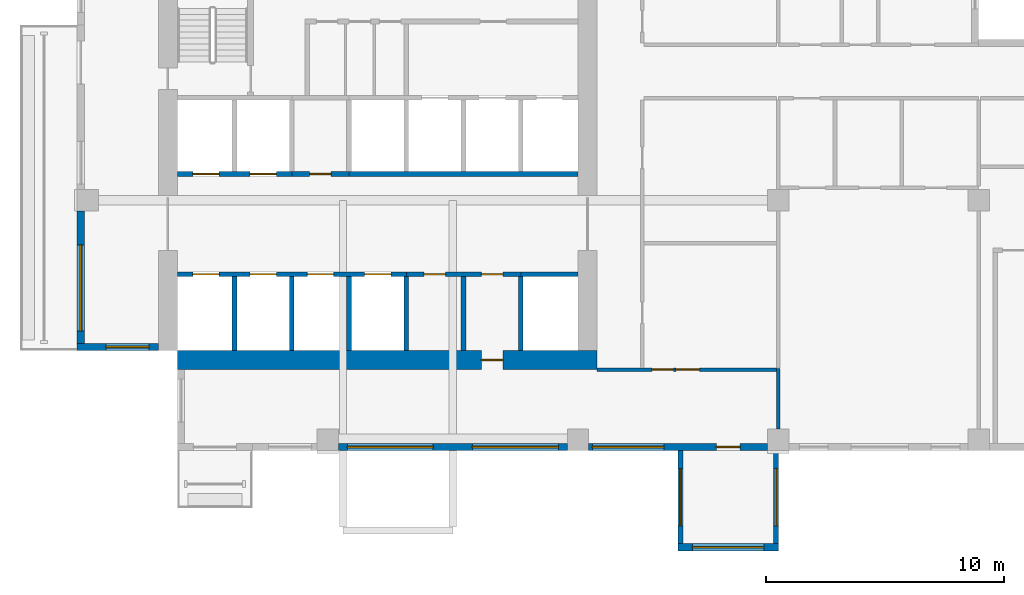
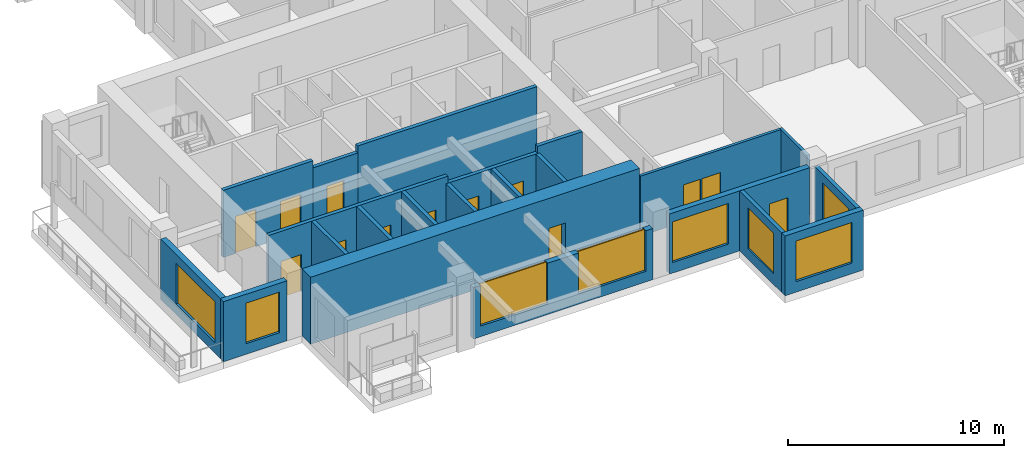
# One storey, part 2 of 13: 22 walls, 13 doors, 8 windows, 21 openings.
"""IFC4 building model written with IfcOpenShell, lengths in metres."""

from ifc_helpers import new_model, si_unit, direction, frame, frame_2d, origin, place, context, subcontext, project, spatial, rectangle, extrude, source, transform, mapped, material, layer, layer_set, type_object, element, fill, save


model = new_model("IFC4")

# Units and contexts
model_context = context("Model", 3, precision=1e-05, world=origin(), true_north=direction((0.0, 1.0)))
body_context = subcontext(model_context, "Body", "Model", "MODEL_VIEW")
ifc_project = project(units=[si_unit("LENGTHUNIT", "METRE"), si_unit("AREAUNIT", "SQUARE_METRE"), si_unit("VOLUMEUNIT", "CUBIC_METRE"), si_unit("PLANEANGLEUNIT", "RADIAN"), si_unit("MASSUNIT", "GRAM", prefix="KILO")], contexts=[model_context])

# Site, building, storey
site_placement = place(None, origin())
site = spatial("IfcSite", under=ifc_project, at=site_placement, CompositionType="ELEMENT")
building_placement = place(site_placement, origin())
building = spatial("IfcBuilding", under=site, at=building_placement, Name="Aurelian Terraces", CompositionType="ELEMENT")
storey_placement = place(building_placement, frame((0.0, 0.0, 193.0)))
storey = spatial("IfcBuildingStorey", under=building, at=storey_placement, Name="L42", CompositionType="ELEMENT", Elevation=193.0)

# Wall
ifc_material_1 = material(Name="Gypsum board on steel studs", Category="steel")
ifc_layer_1 = layer(ifc_material_1, 0.2)
ifc_layer_set_1 = layer_set([ifc_layer_1], Name="Core partition 200")
wall_type_1 = type_object("IfcWallType", Name="Core partition 200", PredefinedType="PARTITIONING", material=ifc_layer_set_1)
wall_1_placement = place(storey_placement, frame((16.2, 4.2, 0.0), z_axis=(0.0, 0.0, 1.0), x_axis=(0.0, 1.0, 0.0)))
element("IfcWall", 1, at=wall_1_placement, inside=storey, type_object=wall_type_1, Name="L42 core wall CS-A5", PredefinedType="PARTITIONING", context=body_context, shape_type="SweptSolid", body=[
    extrude(rectangle(XDim=3.1, YDim=0.2, at=frame_2d((1.55, 0.0))), origin(), (0.0, 0.0, 1.0), 3.4),
])

# Wall, opening, door
ifc_material_2 = material(Name="Concrete fc' 70 MPa", Category="concrete")
ifc_layer_2 = layer(ifc_material_2, 0.8)
ifc_layer_set_2 = layer_set([ifc_layer_2], Name="CORE WALL 800 FC70")
wall_type_2 = type_object("IfcWallType", Name="CORE WALL 800 FC70", PredefinedType="SHEAR", material=ifc_layer_set_2)
shared_shape_1 = source(origin(), body_context, "Body", "SweptSolid", [
    extrude(rectangle(XDim=17.6, YDim=0.8, at=frame_2d((8.8, 0.0))), origin(), (0.0, 0.0, 1.0), 3.8),
])
wall_2_placement = place(storey_placement, frame((4.2, 3.8, 0.0), z_axis=(0.0, 0.0, 1.0), x_axis=(1.0, 0.0, 0.0)))
wall_2 = element("IfcWall", 2, at=wall_2_placement, inside=storey, type_object=wall_type_2, Name="Core wall S L42", PredefinedType="SHEAR", context=body_context, shape_type="MappedRepresentation", body=[
    mapped(shared_shape_1, transform((0.0, 0.0, 0.0), scale=1.0)),
])
shared_shape_2 = source(origin(), body_context, "Body", "SweptSolid", [
    extrude(rectangle(XDim=0.9, YDim=2.1, at=frame_2d((0.45, 1.05))), frame((0.0, 0.41, 0.0), z_axis=(0.0, -1.0, 0.0), x_axis=(1.0, 0.0, 0.0)), (0.0, 0.0, 1.0), 0.82),
])
opening_1_placement = place(wall_2_placement, frame((12.75, 0.0, 0.0)))
opening_1 = element("IfcOpeningElement", 3, at=opening_1_placement, cuts=wall_2, Name="Opening 64527", PredefinedType="OPENING", context=body_context, shape_type="MappedRepresentation", body=[
    mapped(shared_shape_2, transform((0.0, 0.0, 0.0), scale=1.0)),
])
ifc_material_3 = material(Name="Steel door leaf", Category="steel")
door_type_1 = type_object("IfcDoorType", Name="Core service door 900x2100 right", OperationType="SINGLE_SWING_RIGHT", PredefinedType="DOOR", material=ifc_material_3)
shared_shape_3 = source(origin(), body_context, "Body", "SweptSolid", [
    extrude(rectangle(XDim=0.9, YDim=2.1, at=frame_2d((0.45, 1.05))), frame((0.0, 0.025, 0.0), z_axis=(0.0, -1.0, 0.0), x_axis=(1.0, 0.0, 0.0)), (0.0, 0.0, 1.0), 0.05),
])
door_1_placement = place(opening_1_placement, origin())
door_1 = element("IfcDoor", 4, at=door_1_placement, inside=storey, type_object=door_type_1, Name="Core door 64527", OperationType="SINGLE_SWING_RIGHT", OverallHeight=2.1, OverallWidth=0.9, PredefinedType="DOOR", context=body_context, shape_type="MappedRepresentation", body=[
    mapped(shared_shape_3, transform((0.0, 0.0, 0.0), scale=1.0)),
])
fill(opening_1, door_1)

# Wall, openings, window, door
ifc_material_4 = material(Name="Terracotta rainscreen cladding", Category="masonry")
ifc_layer_3 = layer(ifc_material_4, 0.3)
ifc_layer_set_3 = layer_set([ifc_layer_3], Name="EW-300")
wall_type_3 = type_object("IfcWallType", Name="EW-300", PredefinedType="STANDARD", material=ifc_layer_set_3)
shared_shape_4 = source(origin(), body_context, "Body", "SweptSolid", [
    extrude(rectangle(XDim=7.5, YDim=0.3, at=frame_2d((3.75, 0.0))), origin(), (0.0, 0.0, 1.0), 3.4),
])
wall_3_placement = place(storey_placement, frame((21.45, 0.15, 0.0), z_axis=(0.0, 0.0, 1.0), x_axis=(1.0, 0.0, 0.0)))
wall_3 = element("IfcWall", 5, at=wall_3_placement, inside=storey, type_object=wall_type_3, Name="External wall L42 F01.4", PredefinedType="STANDARD", context=body_context, shape_type="MappedRepresentation", body=[
    mapped(shared_shape_4, transform((0.0, 0.0, 0.0), scale=1.0)),
])
shared_shape_5 = source(origin(), body_context, "Body", "SweptSolid", [
    extrude(rectangle(XDim=3.0, YDim=2.3, at=frame_2d((1.5, 1.15))), frame((0.0, 0.16, 0.0), z_axis=(0.0, -1.0, 0.0), x_axis=(1.0, 0.0, 0.0)), (0.0, 0.0, 1.0), 0.32),
])
opening_2_placement = place(wall_3_placement, frame((0.15, 0.0, 0.6)))
opening_2 = element("IfcOpeningElement", 6, at=opening_2_placement, cuts=wall_3, Name="Opening W3023", PredefinedType="OPENING", context=body_context, shape_type="MappedRepresentation", body=[
    mapped(shared_shape_5, transform((0.0, 0.0, 0.0), scale=1.0)),
])
shared_shape_6 = source(origin(), body_context, "Body", "SweptSolid", [
    extrude(rectangle(XDim=1.0, YDim=2.1, at=frame_2d((0.5, 1.05))), frame((0.0, 0.16, 0.0), z_axis=(0.0, -1.0, 0.0), x_axis=(1.0, 0.0, 0.0)), (0.0, 0.0, 1.0), 0.32),
])
opening_3_placement = place(wall_3_placement, frame((5.35, 0.0, 0.0)))
opening_3 = element("IfcOpeningElement", 7, at=opening_3_placement, cuts=wall_3, Name="Opening 842003", PredefinedType="OPENING", context=body_context, shape_type="MappedRepresentation", body=[
    mapped(shared_shape_6, transform((0.0, 0.0, 0.0), scale=1.0)),
])
ifc_material_5 = material(Name="Clear glazing", Category="glass")
window_type_1 = type_object("IfcWindowType", Name="W-3000x2300", PartitioningType="SINGLE_PANEL", PredefinedType="WINDOW", material=ifc_material_5)
shared_shape_7 = source(origin(), body_context, "Body", "SweptSolid", [
    extrude(rectangle(XDim=3.0, YDim=2.3, at=frame_2d((1.5, 1.15))), frame((0.0, 0.03, 0.0), z_axis=(0.0, -1.0, 0.0), x_axis=(1.0, 0.0, 0.0)), (0.0, 0.0, 1.0), 0.06),
])
window_1_placement = place(opening_2_placement, origin())
window_1 = element("IfcWindow", 8, at=window_1_placement, inside=storey, type_object=window_type_1, Name="Window L42 L42-F01-04-0", OverallHeight=2.3, OverallWidth=3.0, PartitioningType="SINGLE_PANEL", PredefinedType="WINDOW", context=body_context, shape_type="MappedRepresentation", body=[
    mapped(shared_shape_7, transform((0.0, 0.0, 0.0), scale=1.0)),
])
fill(opening_2, window_1)
ifc_material_6 = material(Name="Timber door leaf", Category="wood")
door_type_2 = type_object("IfcDoorType", Name="Room door 1000x2100 left", OperationType="SINGLE_SWING_LEFT", PredefinedType="DOOR", material=ifc_material_6)
shared_shape_8 = source(origin(), body_context, "Body", "SweptSolid", [
    extrude(rectangle(XDim=1.0, YDim=2.1, at=frame_2d((0.5, 1.05))), frame((0.0, 0.025, 0.0), z_axis=(0.0, -1.0, 0.0), x_axis=(1.0, 0.0, 0.0)), (0.0, 0.0, 1.0), 0.05),
])
door_2_placement = place(opening_3_placement, origin())
door_2 = element("IfcDoor", 9, at=door_2_placement, inside=storey, type_object=door_type_2, Name="Door 842003", OperationType="SINGLE_SWING_LEFT", OverallHeight=2.1, OverallWidth=1.0, PredefinedType="DOOR", context=body_context, shape_type="MappedRepresentation", body=[
    mapped(shared_shape_8, transform((0.0, 0.0, 0.0), scale=1.0)),
])
fill(opening_3, door_2)

# Wall, opening, window
shared_shape_9 = source(origin(), body_context, "Body", "SweptSolid", [
    extrude(rectangle(XDim=3.4, YDim=0.3, at=frame_2d((1.7, 0.0))), origin(), (0.0, 0.0, 1.0), 3.4),
])
wall_4_placement = place(storey_placement, frame((0.0, 4.35, 0.0), z_axis=(0.0, 0.0, 1.0), x_axis=(1.0, 0.0, 0.0)))
wall_4 = element("IfcWall", 10, at=wall_4_placement, inside=storey, type_object=wall_type_3, Name="External wall L42 F23.40", PredefinedType="STANDARD", context=body_context, shape_type="MappedRepresentation", body=[
    mapped(shared_shape_9, transform((0.0, 0.0, 0.0), scale=1.0)),
])
shared_shape_10 = source(origin(), body_context, "Body", "SweptSolid", [
    extrude(rectangle(XDim=1.8, YDim=2.3, at=frame_2d((0.9, 1.15))), frame((0.0, 0.16, 0.0), z_axis=(0.0, -1.0, 0.0), x_axis=(1.0, 0.0, 0.0)), (0.0, 0.0, 1.0), 0.32),
])
opening_4_placement = place(wall_4_placement, frame((1.2, 0.0, 0.6)))
opening_4 = element("IfcOpeningElement", 11, at=opening_4_placement, cuts=wall_4, Name="Opening W1823", PredefinedType="OPENING", context=body_context, shape_type="MappedRepresentation", body=[
    mapped(shared_shape_10, transform((0.0, 0.0, 0.0), scale=1.0)),
])
window_type_2 = type_object("IfcWindowType", Name="W-1800x2300", PartitioningType="SINGLE_PANEL", PredefinedType="WINDOW", material=ifc_material_5)
shared_shape_11 = source(origin(), body_context, "Body", "SweptSolid", [
    extrude(rectangle(XDim=1.8, YDim=2.3, at=frame_2d((0.9, 1.15))), frame((0.0, 0.03, 0.0), z_axis=(0.0, -1.0, 0.0), x_axis=(1.0, 0.0, 0.0)), (0.0, 0.0, 1.0), 0.06),
])
window_2_placement = place(opening_4_placement, origin())
window_2 = element("IfcWindow", 12, at=window_2_placement, inside=storey, type_object=window_type_2, Name="Window L42 L42-F23-40-0", OverallHeight=2.3, OverallWidth=1.8, PartitioningType="SINGLE_PANEL", PredefinedType="WINDOW", context=body_context, shape_type="MappedRepresentation", body=[
    mapped(shared_shape_11, transform((0.0, 0.0, 0.0), scale=1.0)),
])
fill(opening_4, window_2)

ifc_material_7 = material(Name="Concrete fc' 40 MPa", Category="concrete")
ifc_layer_4 = layer(ifc_material_7, 0.2)
ifc_layer_set_4 = layer_set([ifc_layer_4], Name="BOX BEARING WALL 200")
wall_type_4 = type_object("IfcWallType", Name="BOX BEARING WALL 200", PredefinedType="SOLIDWALL", material=ifc_layer_set_4)
shared_shape_12 = source(origin(), body_context, "Body", "SweptSolid", [
    extrude(rectangle(XDim=3.9, YDim=0.2, at=frame_2d((1.95, 0.0))), origin(), (0.0, 0.0, 1.0), 3.39),
])
wall_5_placement = place(storey_placement, frame((25.3, 0.0, 0.0), z_axis=(0.0, 0.0, 1.0), x_axis=(0.0, -1.0, 0.0)))
wall_5 = element("IfcWall", 13, at=wall_5_placement, inside=storey, type_object=wall_type_4, Name="Box return L42 J58.1", PredefinedType="SOLIDWALL", context=body_context, shape_type="MappedRepresentation", body=[
    mapped(shared_shape_12, transform((0.0, 0.0, 0.0), scale=1.0)),
])
shared_shape_13 = source(origin(), body_context, "Body", "SweptSolid", [
    extrude(rectangle(XDim=2.4, YDim=2.3, at=frame_2d((1.2, 1.15))), frame((0.0, 0.11, 0.0), z_axis=(0.0, -1.0, 0.0), x_axis=(1.0, 0.0, 0.0)), (0.0, 0.0, 1.0), 0.22),
])
opening_5_placement = place(wall_5_placement, frame((0.75, 0.0, 0.6)))
opening_5 = element("IfcOpeningElement", 14, at=opening_5_placement, cuts=wall_5, Name="Opening W2423", PredefinedType="OPENING", context=body_context, shape_type="MappedRepresentation", body=[
    mapped(shared_shape_13, transform((0.0, 0.0, 0.0), scale=1.0)),
])
window_type_3 = type_object("IfcWindowType", Name="W-2400x2300", PartitioningType="SINGLE_PANEL", PredefinedType="WINDOW", material=ifc_material_5)
shared_shape_14 = source(origin(), body_context, "Body", "SweptSolid", [
    extrude(rectangle(XDim=2.4, YDim=2.3, at=frame_2d((1.2, 1.15))), frame((0.0, 0.03, 0.0), z_axis=(0.0, -1.0, 0.0), x_axis=(1.0, 0.0, 0.0)), (0.0, 0.0, 1.0), 0.06),
])
window_3_placement = place(opening_5_placement, origin())
window_3 = element("IfcWindow", 15, at=window_3_placement, inside=storey, type_object=window_type_3, Name="Window L42 J58-S1", OverallHeight=2.3, OverallWidth=2.4, PartitioningType="SINGLE_PANEL", PredefinedType="WINDOW", context=body_context, shape_type="MappedRepresentation", body=[
    mapped(shared_shape_14, transform((0.0, 0.0, 0.0), scale=1.0)),
])
fill(opening_5, window_3)

wall_6_placement = place(storey_placement, frame((29.3, 0.0, 0.0), z_axis=(0.0, 0.0, 1.0), x_axis=(0.0, -1.0, 0.0)))
wall_6 = element("IfcWall", 16, at=wall_6_placement, inside=storey, type_object=wall_type_4, Name="Box return L42 J58.2", PredefinedType="SOLIDWALL", context=body_context, shape_type="MappedRepresentation", body=[
    mapped(shared_shape_12, transform((0.0, 0.0, 0.0), scale=1.0)),
])
opening_6_placement = place(wall_6_placement, frame((0.75, 0.0, 0.6)))
opening_6 = element("IfcOpeningElement", 17, at=opening_6_placement, cuts=wall_6, Name="Opening W2423", PredefinedType="OPENING", context=body_context, shape_type="MappedRepresentation", body=[
    mapped(shared_shape_13, transform((0.0, 0.0, 0.0), scale=1.0)),
])
window_4_placement = place(opening_6_placement, origin())
window_4 = element("IfcWindow", 18, at=window_4_placement, inside=storey, type_object=window_type_3, Name="Window L42 J58-S2", OverallHeight=2.3, OverallWidth=2.4, PartitioningType="SINGLE_PANEL", PredefinedType="WINDOW", context=body_context, shape_type="MappedRepresentation", body=[
    mapped(shared_shape_14, transform((0.0, 0.0, 0.0), scale=1.0)),
])
fill(opening_6, window_4)

ifc_layer_5 = layer(ifc_material_7, 0.3)
ifc_layer_set_5 = layer_set([ifc_layer_5], Name="BOX BEARING WALL 300")
wall_type_5 = type_object("IfcWallType", Name="BOX BEARING WALL 300", PredefinedType="SOLIDWALL", material=ifc_layer_set_5)
shared_shape_15 = source(origin(), body_context, "Body", "SweptSolid", [
    extrude(rectangle(XDim=4.2, YDim=0.3, at=frame_2d((2.1, 0.0))), origin(), (0.0, 0.0, 1.0), 3.39),
])
wall_7_placement = place(storey_placement, frame((25.2, -4.05, 0.0), z_axis=(0.0, 0.0, 1.0), x_axis=(1.0, 0.0, 0.0)))
wall_7 = element("IfcWall", 19, at=wall_7_placement, inside=storey, type_object=wall_type_5, Name="Box wall L42 J58", PredefinedType="SOLIDWALL", context=body_context, shape_type="MappedRepresentation", body=[
    mapped(shared_shape_15, transform((0.0, 0.0, 0.0), scale=1.0)),
])
opening_7_placement = place(wall_7_placement, frame((0.6, 0.0, 0.6)))
opening_7 = element("IfcOpeningElement", 20, at=opening_7_placement, cuts=wall_7, Name="Opening W3023", PredefinedType="OPENING", context=body_context, shape_type="MappedRepresentation", body=[
    mapped(shared_shape_5, transform((0.0, 0.0, 0.0), scale=1.0)),
])
window_5_placement = place(opening_7_placement, origin())
window_5 = element("IfcWindow", 21, at=window_5_placement, inside=storey, type_object=window_type_1, Name="Window L42 J58-F1", OverallHeight=2.3, OverallWidth=3.0, PartitioningType="SINGLE_PANEL", PredefinedType="WINDOW", context=body_context, shape_type="MappedRepresentation", body=[
    mapped(shared_shape_7, transform((0.0, 0.0, 0.0), scale=1.0)),
])
fill(opening_7, window_5)

shared_shape_16 = source(origin(), body_context, "Body", "SweptSolid", [
    extrude(rectangle(XDim=5.85, YDim=0.3, at=frame_2d((2.925, 0.0))), origin(), (0.0, 0.0, 1.0), 3.4),
])
wall_8_placement = place(storey_placement, frame((0.15, 10.05, 0.0), z_axis=(0.0, 0.0, 1.0), x_axis=(0.0, -1.0, 0.0)))
wall_8 = element("IfcWall", 22, at=wall_8_placement, inside=storey, type_object=wall_type_3, Name="External wall L42 F22.39", PredefinedType="STANDARD", context=body_context, shape_type="MappedRepresentation", body=[
    mapped(shared_shape_16, transform((0.0, 0.0, 0.0), scale=1.0)),
])
shared_shape_17 = source(origin(), body_context, "Body", "SweptSolid", [
    extrude(rectangle(XDim=3.6, YDim=2.3, at=frame_2d((1.8, 1.15))), frame((0.0, 0.16, 0.0), z_axis=(0.0, -1.0, 0.0), x_axis=(1.0, 0.0, 0.0)), (0.0, 0.0, 1.0), 0.32),
])
opening_8_placement = place(wall_8_placement, frame((1.425, 0.0, 0.6)))
opening_8 = element("IfcOpeningElement", 23, at=opening_8_placement, cuts=wall_8, Name="Opening W3623", PredefinedType="OPENING", context=body_context, shape_type="MappedRepresentation", body=[
    mapped(shared_shape_17, transform((0.0, 0.0, 0.0), scale=1.0)),
])
window_type_4 = type_object("IfcWindowType", Name="W-3600x2300", PartitioningType="SINGLE_PANEL", PredefinedType="WINDOW", material=ifc_material_5)
shared_shape_18 = source(origin(), body_context, "Body", "SweptSolid", [
    extrude(rectangle(XDim=3.6, YDim=2.3, at=frame_2d((1.8, 1.15))), frame((0.0, 0.03, 0.0), z_axis=(0.0, -1.0, 0.0), x_axis=(1.0, 0.0, 0.0)), (0.0, 0.0, 1.0), 0.06),
])
window_6_placement = place(opening_8_placement, origin())
window_6 = element("IfcWindow", 24, at=window_6_placement, inside=storey, type_object=window_type_4, Name="Window L42 L42-F22-39-2", OverallHeight=2.3, OverallWidth=3.6, PartitioningType="SINGLE_PANEL", PredefinedType="WINDOW", context=body_context, shape_type="MappedRepresentation", body=[
    mapped(shared_shape_18, transform((0.0, 0.0, 0.0), scale=1.0)),
])
fill(opening_8, window_6)

# Wall, openings, windows
shared_shape_19 = source(origin(), body_context, "Body", "SweptSolid", [
    extrude(rectangle(XDim=9.6, YDim=0.3, at=frame_2d((4.8, 0.0))), origin(), (0.0, 0.0, 1.0), 2.9),
])
wall_9_placement = place(storey_placement, frame((10.95, 0.15, 0.0), z_axis=(0.0, 0.0, 1.0), x_axis=(1.0, 0.0, 0.0)))
wall_9 = element("IfcWall", 25, at=wall_9_placement, inside=storey, type_object=wall_type_3, Name="External wall L42 F01.3", PredefinedType="STANDARD", context=body_context, shape_type="MappedRepresentation", body=[
    mapped(shared_shape_19, transform((0.0, 0.0, 0.0), scale=1.0)),
])
opening_9_placement = place(wall_9_placement, frame((0.375, 0.0, 0.6)))
opening_9 = element("IfcOpeningElement", 26, at=opening_9_placement, cuts=wall_9, Name="Opening W3623", PredefinedType="OPENING", context=body_context, shape_type="MappedRepresentation", body=[
    mapped(shared_shape_17, transform((0.0, 0.0, 0.0), scale=1.0)),
])
opening_10_placement = place(wall_9_placement, frame((5.625, 0.0, 0.6)))
opening_10 = element("IfcOpeningElement", 27, at=opening_10_placement, cuts=wall_9, Name="Opening W3623", PredefinedType="OPENING", context=body_context, shape_type="MappedRepresentation", body=[
    mapped(shared_shape_17, transform((0.0, 0.0, 0.0), scale=1.0)),
])
window_7_placement = place(opening_9_placement, origin())
window_7 = element("IfcWindow", 28, at=window_7_placement, inside=storey, type_object=window_type_4, Name="Window L42 L42-F01-03-0", OverallHeight=2.3, OverallWidth=3.6, PartitioningType="SINGLE_PANEL", PredefinedType="WINDOW", context=body_context, shape_type="MappedRepresentation", body=[
    mapped(shared_shape_18, transform((0.0, 0.0, 0.0), scale=1.0)),
])
fill(opening_9, window_7)
window_8_placement = place(opening_10_placement, origin())
window_8 = element("IfcWindow", 29, at=window_8_placement, inside=storey, type_object=window_type_4, Name="Window L42 L42-F01-03-1", OverallHeight=2.3, OverallWidth=3.6, PartitioningType="SINGLE_PANEL", PredefinedType="WINDOW", context=body_context, shape_type="MappedRepresentation", body=[
    mapped(shared_shape_18, transform((0.0, 0.0, 0.0), scale=1.0)),
])
fill(opening_10, window_8)

# Walls
ifc_layer_6 = layer(ifc_material_7, 0.2)
ifc_layer_set_6 = layer_set([ifc_layer_6], Name="Lift shaft wall 200")
wall_type_6 = type_object("IfcWallType", Name="Lift shaft wall 200", PredefinedType="SOLIDWALL", material=ifc_layer_set_6)
shared_shape_20 = source(origin(), body_context, "Body", "SweptSolid", [
    extrude(rectangle(XDim=3.1, YDim=0.2, at=frame_2d((1.55, 0.0))), origin(), (0.0, 0.0, 1.0), 3.8),
])
for number, where, z_axis, x_axis, name in (
    (30, (6.6, 4.2, 0.0), (0.0, 0.0, 1.0), (0.0, 1.0, 0.0), "L42 core wall CD-A1"),
    (31, (9.0, 4.2, 0.0), (0.0, 0.0, 1.0), (0.0, 1.0, 0.0), "L42 core wall CD-A2"),
    (32, (11.4, 4.2, 0.0), (0.0, 0.0, 1.0), (0.0, 1.0, 0.0), "L42 core wall CD-A3"),
):
    element("IfcWall", number, at=place(storey_placement, frame(where, z_axis=z_axis, x_axis=x_axis)), inside=storey, type_object=wall_type_6, Name=name, PredefinedType="SOLIDWALL", context=body_context, shape_type="MappedRepresentation", body=[
        mapped(shared_shape_20, transform((0.0, 0.0, 0.0), scale=1.0)),
    ])
shared_shape_21 = source(origin(), body_context, "Body", "SweptSolid", [
    extrude(rectangle(XDim=3.1, YDim=0.2, at=frame_2d((1.55, 0.0))), origin(), (0.0, 0.0, 1.0), 3.4),
])
for number, where, z_axis, x_axis, name in (
    (33, (13.8, 4.2, 0.0), (0.0, 0.0, 1.0), (0.0, 1.0, 0.0), "L42 core wall CD-A4"),
    (34, (18.6, 4.2, 0.0), (0.0, 0.0, 1.0), (0.0, 1.0, 0.0), "L42 core wall CD-A6"),
):
    element("IfcWall", number, at=place(storey_placement, frame(where, z_axis=z_axis, x_axis=x_axis)), inside=storey, type_object=wall_type_6, Name=name, PredefinedType="SOLIDWALL", context=body_context, shape_type="MappedRepresentation", body=[
        mapped(shared_shape_21, transform((0.0, 0.0, 0.0), scale=1.0)),
    ])

# Wall, openings, doors
shared_shape_22 = source(origin(), body_context, "Body", "SweptSolid", [
    extrude(rectangle(XDim=9.6, YDim=0.2, at=frame_2d((4.8, 0.0))), origin(), (0.0, 0.0, 1.0), 3.8),
])
wall_10_placement = place(storey_placement, frame((4.2, 7.4, 0.0), z_axis=(0.0, 0.0, 1.0), x_axis=(1.0, 0.0, 0.0)))
wall_10 = element("IfcWall", 35, at=wall_10_placement, inside=storey, type_object=wall_type_6, Name="L42 core wall CF-AF1", PredefinedType="SOLIDWALL", context=body_context, shape_type="MappedRepresentation", body=[
    mapped(shared_shape_22, transform((0.0, 0.0, 0.0), scale=1.0)),
])
shared_shape_23 = source(origin(), body_context, "Body", "SweptSolid", [
    extrude(rectangle(XDim=1.1, YDim=2.1, at=frame_2d((0.55, 1.05))), frame((0.0, 0.11, 0.0), z_axis=(0.0, -1.0, 0.0), x_axis=(1.0, 0.0, 0.0)), (0.0, 0.0, 1.0), 0.22),
])
opening_11_placement = place(wall_10_placement, frame((0.65, 0.0, 0.0)))
opening_11 = element("IfcOpeningElement", 36, at=opening_11_placement, cuts=wall_10, Name="Opening 64500", PredefinedType="OPENING", context=body_context, shape_type="MappedRepresentation", body=[
    mapped(shared_shape_23, transform((0.0, 0.0, 0.0), scale=1.0)),
])
opening_12_placement = place(wall_10_placement, frame((3.05, 0.0, 0.0)))
opening_12 = element("IfcOpeningElement", 37, at=opening_12_placement, cuts=wall_10, Name="Opening 64501", PredefinedType="OPENING", context=body_context, shape_type="MappedRepresentation", body=[
    mapped(shared_shape_23, transform((0.0, 0.0, 0.0), scale=1.0)),
])
opening_13_placement = place(wall_10_placement, frame((5.45, 0.0, 0.0)))
opening_13 = element("IfcOpeningElement", 38, at=opening_13_placement, cuts=wall_10, Name="Opening 64502", PredefinedType="OPENING", context=body_context, shape_type="MappedRepresentation", body=[
    mapped(shared_shape_23, transform((0.0, 0.0, 0.0), scale=1.0)),
])
opening_14_placement = place(wall_10_placement, frame((7.85, 0.0, 0.0)))
opening_14 = element("IfcOpeningElement", 39, at=opening_14_placement, cuts=wall_10, Name="Opening 64503", PredefinedType="OPENING", context=body_context, shape_type="MappedRepresentation", body=[
    mapped(shared_shape_23, transform((0.0, 0.0, 0.0), scale=1.0)),
])
ifc_material_8 = material(Name="Stainless steel", Category="steel")
door_type_3 = type_object("IfcDoorType", Name="Lift landing door 1100x2100", OperationType="SLIDING_TO_LEFT", PredefinedType="DOOR", material=ifc_material_8)
shared_shape_24 = source(origin(), body_context, "Body", "SweptSolid", [
    extrude(rectangle(XDim=1.1, YDim=2.1, at=frame_2d((0.55, 1.05))), frame((0.0, 0.025, 0.0), z_axis=(0.0, -1.0, 0.0), x_axis=(1.0, 0.0, 0.0)), (0.0, 0.0, 1.0), 0.05),
])
door_3_placement = place(opening_11_placement, origin())
door_3 = element("IfcDoor", 40, at=door_3_placement, inside=storey, type_object=door_type_3, Name="Lift landing door LM1 L42", OperationType="SLIDING_TO_LEFT", OverallHeight=2.1, OverallWidth=1.1, PredefinedType="DOOR", context=body_context, shape_type="MappedRepresentation", body=[
    mapped(shared_shape_24, transform((0.0, 0.0, 0.0), scale=1.0)),
])
fill(opening_11, door_3)
door_4_placement = place(opening_12_placement, origin())
door_4 = element("IfcDoor", 41, at=door_4_placement, inside=storey, type_object=door_type_3, Name="Lift landing door LM2 L42", OperationType="SLIDING_TO_LEFT", OverallHeight=2.1, OverallWidth=1.1, PredefinedType="DOOR", context=body_context, shape_type="MappedRepresentation", body=[
    mapped(shared_shape_24, transform((0.0, 0.0, 0.0), scale=1.0)),
])
fill(opening_12, door_4)
door_5_placement = place(opening_13_placement, origin())
door_5 = element("IfcDoor", 42, at=door_5_placement, inside=storey, type_object=door_type_3, Name="Lift landing door LM3 L42", OperationType="SLIDING_TO_LEFT", OverallHeight=2.1, OverallWidth=1.1, PredefinedType="DOOR", context=body_context, shape_type="MappedRepresentation", body=[
    mapped(shared_shape_24, transform((0.0, 0.0, 0.0), scale=1.0)),
])
fill(opening_13, door_5)
door_6_placement = place(opening_14_placement, origin())
door_6 = element("IfcDoor", 43, at=door_6_placement, inside=storey, type_object=door_type_3, Name="Lift landing door LM4 L42", OperationType="SLIDING_TO_LEFT", OverallHeight=2.1, OverallWidth=1.1, PredefinedType="DOOR", context=body_context, shape_type="MappedRepresentation", body=[
    mapped(shared_shape_24, transform((0.0, 0.0, 0.0), scale=1.0)),
])
fill(opening_14, door_6)

# Wall
wall_11_placement = place(storey_placement, frame((11.4, 11.6, 0.0), z_axis=(0.0, 0.0, 1.0), x_axis=(1.0, 0.0, 0.0)))
element("IfcWall", 44, at=wall_11_placement, inside=storey, type_object=wall_type_6, Name="L42 core wall CF-BF3", PredefinedType="SOLIDWALL", context=body_context, shape_type="MappedRepresentation", body=[
    mapped(shared_shape_22, transform((0.0, 0.0, 0.0), scale=1.0)),
])

# Wall, openings, doors
shared_shape_25 = source(origin(), body_context, "Body", "SweptSolid", [
    extrude(rectangle(XDim=4.8, YDim=0.2, at=frame_2d((2.4, 0.0))), origin(), (0.0, 0.0, 1.0), 3.8),
])
wall_12_placement = place(storey_placement, frame((4.2, 11.6, 0.0), z_axis=(0.0, 0.0, 1.0), x_axis=(1.0, 0.0, 0.0)))
wall_12 = element("IfcWall", 45, at=wall_12_placement, inside=storey, type_object=wall_type_6, Name="L42 core wall CF-BF1", PredefinedType="SOLIDWALL", context=body_context, shape_type="MappedRepresentation", body=[
    mapped(shared_shape_25, transform((0.0, 0.0, 0.0), scale=1.0)),
])
opening_15_placement = place(wall_12_placement, frame((0.65, 0.0, 0.0)))
opening_15 = element("IfcOpeningElement", 46, at=opening_15_placement, cuts=wall_12, Name="Opening 64506", PredefinedType="OPENING", context=body_context, shape_type="MappedRepresentation", body=[
    mapped(shared_shape_23, transform((0.0, 0.0, 0.0), scale=1.0)),
])
opening_16_placement = place(wall_12_placement, frame((3.05, 0.0, 0.0)))
opening_16 = element("IfcOpeningElement", 47, at=opening_16_placement, cuts=wall_12, Name="Opening 64507", PredefinedType="OPENING", context=body_context, shape_type="MappedRepresentation", body=[
    mapped(shared_shape_23, transform((0.0, 0.0, 0.0), scale=1.0)),
])
door_7_placement = place(opening_15_placement, origin())
door_7 = element("IfcDoor", 48, at=door_7_placement, inside=storey, type_object=door_type_3, Name="Lift landing door LM5 L42", OperationType="SLIDING_TO_LEFT", OverallHeight=2.1, OverallWidth=1.1, PredefinedType="DOOR", context=body_context, shape_type="MappedRepresentation", body=[
    mapped(shared_shape_24, transform((0.0, 0.0, 0.0), scale=1.0)),
])
fill(opening_15, door_7)
door_8_placement = place(opening_16_placement, origin())
door_8 = element("IfcDoor", 49, at=door_8_placement, inside=storey, type_object=door_type_3, Name="Lift landing door LM6 L42", OperationType="SLIDING_TO_LEFT", OverallHeight=2.1, OverallWidth=1.1, PredefinedType="DOOR", context=body_context, shape_type="MappedRepresentation", body=[
    mapped(shared_shape_24, transform((0.0, 0.0, 0.0), scale=1.0)),
])
fill(opening_16, door_8)

# Wall, opening, door
shared_shape_26 = source(origin(), body_context, "Body", "SweptSolid", [
    extrude(rectangle(XDim=2.4, YDim=0.2, at=frame_2d((1.2, 0.0))), origin(), (0.0, 0.0, 1.0), 3.4),
])
wall_13_placement = place(storey_placement, frame((9.0, 11.6, 0.0), z_axis=(0.0, 0.0, 1.0), x_axis=(1.0, 0.0, 0.0)))
wall_13 = element("IfcWall", 50, at=wall_13_placement, inside=storey, type_object=wall_type_6, Name="L42 core wall CF-BF2", PredefinedType="SOLIDWALL", context=body_context, shape_type="MappedRepresentation", body=[
    mapped(shared_shape_26, transform((0.0, 0.0, 0.0), scale=1.0)),
])
shared_shape_27 = source(origin(), body_context, "Body", "SweptSolid", [
    extrude(rectangle(XDim=0.9, YDim=2.1, at=frame_2d((0.45, 1.05))), frame((0.0, 0.11, 0.0), z_axis=(0.0, -1.0, 0.0), x_axis=(1.0, 0.0, 0.0)), (0.0, 0.0, 1.0), 0.22),
])
opening_17_placement = place(wall_13_placement, frame((0.75, 0.0, 0.0)))
opening_17 = element("IfcOpeningElement", 51, at=opening_17_placement, cuts=wall_13, Name="Opening 64508", PredefinedType="OPENING", context=body_context, shape_type="MappedRepresentation", body=[
    mapped(shared_shape_27, transform((0.0, 0.0, 0.0), scale=1.0)),
])
door_9_placement = place(opening_17_placement, origin())
door_9 = element("IfcDoor", 52, at=door_9_placement, inside=storey, type_object=door_type_1, Name="Room door 64508", OperationType="SINGLE_SWING_RIGHT", OverallHeight=2.1, OverallWidth=0.9, PredefinedType="DOOR", context=body_context, shape_type="MappedRepresentation", body=[
    mapped(shared_shape_3, transform((0.0, 0.0, 0.0), scale=1.0)),
])
fill(opening_17, door_9)

# Wall, openings, doors
shared_shape_28 = source(origin(), body_context, "Body", "SweptSolid", [
    extrude(rectangle(XDim=4.8, YDim=0.2, at=frame_2d((2.4, 0.0))), origin(), (0.0, 0.0, 1.0), 3.4),
])
wall_14_placement = place(storey_placement, frame((13.8, 7.4, 0.0), z_axis=(0.0, 0.0, 1.0), x_axis=(1.0, 0.0, 0.0)))
wall_14 = element("IfcWall", 53, at=wall_14_placement, inside=storey, type_object=wall_type_6, Name="L42 core wall CF-AF2", PredefinedType="SOLIDWALL", context=body_context, shape_type="MappedRepresentation", body=[
    mapped(shared_shape_28, transform((0.0, 0.0, 0.0), scale=1.0)),
])
opening_18_placement = place(wall_14_placement, frame((0.75, 0.0, 0.0)))
opening_18 = element("IfcOpeningElement", 54, at=opening_18_placement, cuts=wall_14, Name="Opening 64504", PredefinedType="OPENING", context=body_context, shape_type="MappedRepresentation", body=[
    mapped(shared_shape_27, transform((0.0, 0.0, 0.0), scale=1.0)),
])
opening_19_placement = place(wall_14_placement, frame((3.15, 0.0, 0.0)))
opening_19 = element("IfcOpeningElement", 55, at=opening_19_placement, cuts=wall_14, Name="Opening 64505", PredefinedType="OPENING", context=body_context, shape_type="MappedRepresentation", body=[
    mapped(shared_shape_27, transform((0.0, 0.0, 0.0), scale=1.0)),
])
door_10_placement = place(opening_18_placement, origin())
door_10 = element("IfcDoor", 56, at=door_10_placement, inside=storey, type_object=door_type_1, Name="Room door 64504", OperationType="SINGLE_SWING_RIGHT", OverallHeight=2.1, OverallWidth=0.9, PredefinedType="DOOR", context=body_context, shape_type="MappedRepresentation", body=[
    mapped(shared_shape_3, transform((0.0, 0.0, 0.0), scale=1.0)),
])
fill(opening_18, door_10)
door_type_4 = type_object("IfcDoorType", Name="Core service door 900x2100", OperationType="SINGLE_SWING_LEFT", PredefinedType="DOOR", material=ifc_material_3)
door_11_placement = place(opening_19_placement, origin())
door_11 = element("IfcDoor", 57, at=door_11_placement, inside=storey, type_object=door_type_4, Name="Room door 64505", OperationType="SINGLE_SWING_LEFT", OverallHeight=2.1, OverallWidth=0.9, PredefinedType="DOOR", context=body_context, shape_type="MappedRepresentation", body=[
    mapped(shared_shape_3, transform((0.0, 0.0, 0.0), scale=1.0)),
])
fill(opening_19, door_11)

# Walls
shared_shape_29 = source(origin(), body_context, "Body", "SweptSolid", [
    extrude(rectangle(XDim=2.4, YDim=0.2, at=frame_2d((1.2, 0.0))), origin(), (0.0, 0.0, 1.0), 3.8),
])
wall_15_placement = place(storey_placement, frame((18.6, 7.4, 0.0), z_axis=(0.0, 0.0, 1.0), x_axis=(1.0, 0.0, 0.0)))
element("IfcWall", 58, at=wall_15_placement, inside=storey, type_object=wall_type_6, Name="L42 core wall CF-AF3", PredefinedType="SOLIDWALL", context=body_context, shape_type="MappedRepresentation", body=[
    mapped(shared_shape_29, transform((0.0, 0.0, 0.0), scale=1.0)),
])
ifc_layer_7 = layer(ifc_material_1, 0.15)
ifc_layer_set_7 = layer_set([ifc_layer_7], Name="Fire partition 150")
wall_type_7 = type_object("IfcWallType", Name="Fire partition 150", PredefinedType="PARTITIONING", material=ifc_layer_set_7)
shared_shape_30 = source(origin(), body_context, "Body", "SweptSolid", [
    extrude(rectangle(XDim=2.556, YDim=0.15, at=frame_2d((1.278, 0.0))), origin(), (0.0, 0.0, 1.0), 3.4),
])
wall_16_placement = place(storey_placement, frame((29.4, 0.899, 0.0), z_axis=(0.0, 0.0, 1.0), x_axis=(0.0, 1.0, 0.0)))
element("IfcWall", 59, at=wall_16_placement, inside=storey, type_object=wall_type_7, Name="Party wall", PredefinedType="PARTITIONING", context=body_context, shape_type="MappedRepresentation", body=[
    mapped(shared_shape_30, transform((0.0, 0.0, 0.0), scale=1.0)),
])

# Wall, openings, doors
ifc_layer_8 = layer(ifc_material_1, 0.15)
ifc_layer_set_8 = layer_set([ifc_layer_8], Name="Partition 150")
wall_type_8 = type_object("IfcWallType", Name="Partition 150", PredefinedType="PARTITIONING", material=ifc_layer_set_8)
shared_shape_31 = source(origin(), body_context, "Body", "SweptSolid", [
    extrude(rectangle(XDim=7.525, YDim=0.15, at=frame_2d((3.7625, 0.0))), origin(), (0.0, 0.0, 1.0), 3.4),
])
wall_17_placement = place(storey_placement, frame((21.8, 3.4, 0.0), z_axis=(0.0, 0.0, 1.0), x_axis=(1.0, 0.0, 0.0)))
wall_17 = element("IfcWall", 60, at=wall_17_placement, inside=storey, type_object=wall_type_8, Name="Partition", PredefinedType="PARTITIONING", context=body_context, shape_type="MappedRepresentation", body=[
    mapped(shared_shape_31, transform((0.0, 0.0, 0.0), scale=1.0)),
])
shared_shape_32 = source(origin(), body_context, "Body", "SweptSolid", [
    extrude(rectangle(XDim=1.0, YDim=2.1, at=frame_2d((0.5, 1.05))), frame((0.0, 0.085, 0.0), z_axis=(0.0, -1.0, 0.0), x_axis=(1.0, 0.0, 0.0)), (0.0, 0.0, 1.0), 0.17),
])
opening_20_placement = place(wall_17_placement, frame((3.3, 0.0, 0.0)))
opening_20 = element("IfcOpeningElement", 61, at=opening_20_placement, cuts=wall_17, Name="Opening 742004", PredefinedType="OPENING", context=body_context, shape_type="MappedRepresentation", body=[
    mapped(shared_shape_32, transform((0.0, 0.0, 0.0), scale=1.0)),
])
shared_shape_33 = source(origin(), body_context, "Body", "SweptSolid", [
    extrude(rectangle(XDim=0.9, YDim=2.1, at=frame_2d((0.45, 1.05))), frame((0.0, 0.085, 0.0), z_axis=(0.0, -1.0, 0.0), x_axis=(1.0, 0.0, 0.0)), (0.0, 0.0, 1.0), 0.17),
])
opening_21_placement = place(wall_17_placement, frame((2.312, 0.0, 0.0)))
opening_21 = element("IfcOpeningElement", 62, at=opening_21_placement, cuts=wall_17, Name="Opening 742033", PredefinedType="OPENING", context=body_context, shape_type="MappedRepresentation", body=[
    mapped(shared_shape_33, transform((0.0, 0.0, 0.0), scale=1.0)),
])
door_type_5 = type_object("IfcDoorType", Name="Room door 1000x2100 right", OperationType="SINGLE_SWING_RIGHT", PredefinedType="DOOR", material=ifc_material_6)
door_12_placement = place(opening_20_placement, origin())
door_12 = element("IfcDoor", 63, at=door_12_placement, inside=storey, type_object=door_type_5, Name="Door 742004", OperationType="SINGLE_SWING_RIGHT", OverallHeight=2.1, OverallWidth=1.0, PredefinedType="DOOR", context=body_context, shape_type="MappedRepresentation", body=[
    mapped(shared_shape_8, transform((0.0, 0.0, 0.0), scale=1.0)),
])
fill(opening_20, door_12)
door_type_6 = type_object("IfcDoorType", Name="Room door 900x2100 left", OperationType="SINGLE_SWING_LEFT", PredefinedType="DOOR", material=ifc_material_6)
door_13_placement = place(opening_21_placement, origin())
door_13 = element("IfcDoor", 64, at=door_13_placement, inside=storey, type_object=door_type_6, Name="Door 742033", OperationType="SINGLE_SWING_LEFT", OverallHeight=2.1, OverallWidth=0.9, PredefinedType="DOOR", context=body_context, shape_type="MappedRepresentation", body=[
    mapped(shared_shape_3, transform((0.0, 0.0, 0.0), scale=1.0)),
])
fill(opening_21, door_13)

save(model, "model.ifc")
